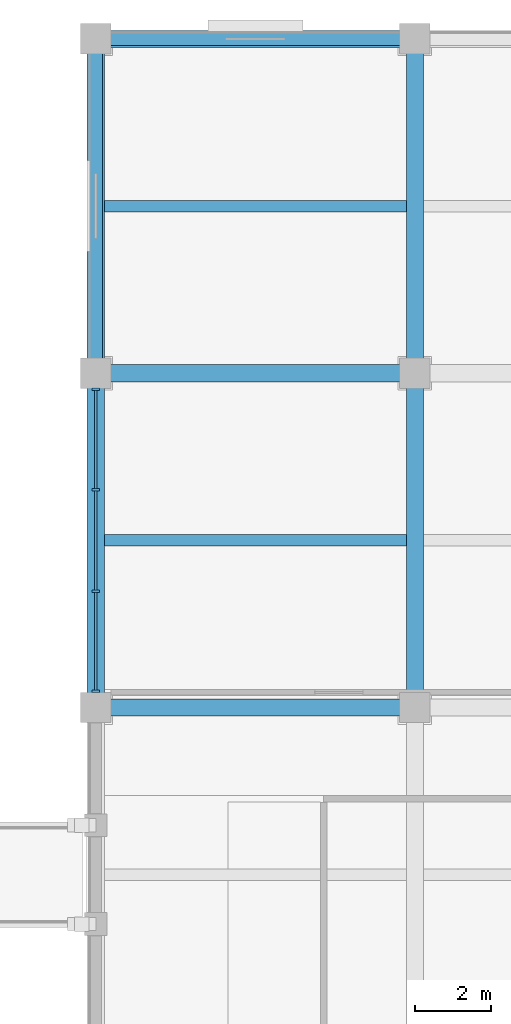
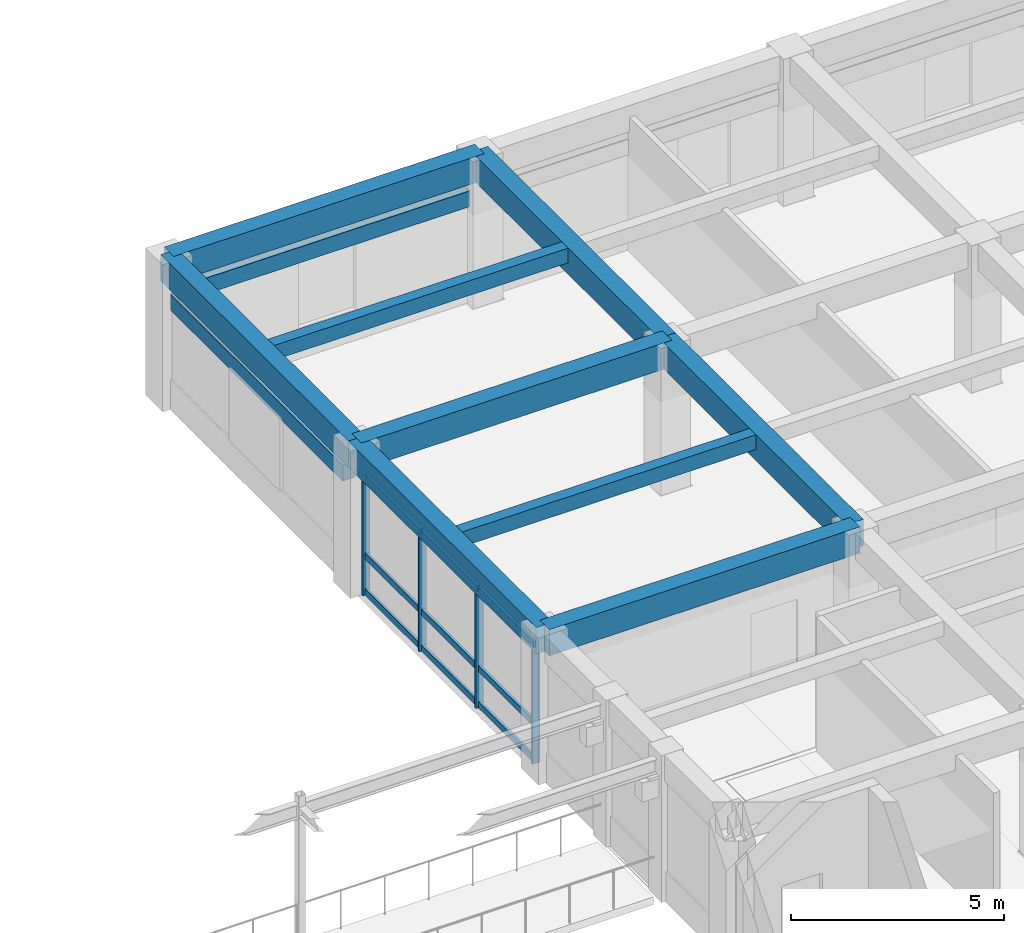
# One storey, part 22 of 57: 13 members, 11 beams, 1 element without a shape of its own.
"""IFC4 building model written with IfcOpenShell, lengths in metres."""

from ifc_helpers import new_model, si_unit, direction, frame, origin, origin_2d, place, context, subcontext, project, spatial, rectangle, extrude, material, material_profile, profile_set, type_object, element, aggregate, save


model = new_model("IFC4")

# Units and contexts
model_context = context("Model", 3, precision=1e-05, world=origin(), true_north=direction((0.0, 1.0)))
body_context = subcontext(model_context, "Body", "Model", "MODEL_VIEW")
ifc_project = project(units=[si_unit("LENGTHUNIT", "METRE"), si_unit("AREAUNIT", "SQUARE_METRE"), si_unit("VOLUMEUNIT", "CUBIC_METRE"), si_unit("PLANEANGLEUNIT", "RADIAN"), si_unit("MASSUNIT", "GRAM", prefix="KILO")], contexts=[model_context])

# Site, building, storey
site_placement = place(None, origin())
site = spatial("IfcSite", under=ifc_project, at=site_placement, CompositionType="ELEMENT")
building_placement = place(site_placement, origin())
building = spatial("IfcBuilding", under=site, at=building_placement, Name="Kemercrest Conservatory and Botanical Centre", CompositionType="ELEMENT")
storey_placement = place(building_placement, frame((0.0, 0.0, 4.800048828125)))
storey = spatial("IfcBuildingStorey", under=building, at=storey_placement, Name="L01", CompositionType="ELEMENT", Elevation=4.800048828125)

# Beams
ifc_material_1 = material(Name="Concrete C40/50", Category="concrete")
ifc_material_profile_1 = material_profile(ifc_material_1, rectangle(XDim=0.449951171875, YDim=0.75, at=origin_2d()), Name="RC 450x750")
ifc_profile_set_1 = profile_set([ifc_material_profile_1], Name="Concrete C40/50")
beam_type_1 = type_object("IfcBeamType", Name="BM-RC75", PredefinedType="BEAM", material=ifc_profile_set_1)
for number, where, z_axis, x_axis, name in (
    (1, (125.60009765625, 104.800048828125, 3.824951171875), (1.0, 0.0, 0.0), (0.0, 1.0, 0.0), "V4-L02 beam BM-RC75 M/15-16"),
    (2, (125.60009765625, 113.60009765625, 3.824951171875), (1.0, 0.0, 0.0), (0.0, 1.0, 0.0), "V4-L02 beam BM-RC75 N/15-16"),
):
    element("IfcBeam", number, at=place(storey_placement, frame(where, z_axis=z_axis, x_axis=x_axis)), inside=storey, type_object=beam_type_1, Name=name, PredefinedType="BEAM", context=body_context, shape_type="SweptSolid", body=[
        extrude(rectangle(XDim=0.449951171875, YDim=0.75, at=origin_2d()), origin(), (0.0, 0.0, 1.0), 8.39990234375),
    ])
beam_1_placement = place(storey_placement, frame((134.0, 104.800048828125, 3.824951171875), z_axis=(0.0, 1.0, 0.0), x_axis=(-1.0, 0.0, 0.0)))
element("IfcBeam", 3, at=beam_1_placement, inside=storey, type_object=beam_type_1, Name="V4-L02 beam BM-RC75 16/M-N", PredefinedType="BEAM", context=body_context, shape_type="SweptSolid", body=[
    extrude(rectangle(XDim=0.449951171875, YDim=0.75, at=origin_2d()), origin(), (0.0, 0.0, 1.0), 8.800048828125),
])
beam_2_placement = place(storey_placement, frame((134.0, 113.60009765625, 3.824951171875), z_axis=(0.0, 1.0, 0.0), x_axis=(-1.0, 0.0, 0.0)))
element("IfcBeam", 4, at=beam_2_placement, inside=storey, type_object=beam_type_1, Name="V4-L02 beam BM-RC75 16/N-P", PredefinedType="BEAM", context=body_context, shape_type="SweptSolid", body=[
    extrude(rectangle(XDim=0.449951171875, YDim=0.75, at=origin_2d()), origin(), (0.0, 0.0, 1.0), 8.7998046875),
])

# Curtain wall, members
ifc_material_2 = material(Name="Thermally broken aluminium and triple low-e glazing", Category="aluminium")
curtain_wall_type = type_object("IfcCurtainWallType", Name="CW-25", PredefinedType="USERDEFINED", material=ifc_material_2)
curtain_wall_placement = place(storey_placement, origin())
curtain_wall = element("IfcCurtainWall", 5, at=curtain_wall_placement, inside=storey, type_object=curtain_wall_type, Name="Unitised curtain wall CW-25 (CW:L01:V4-054)", ObjectType="UNITISED CURTAIN WALL", PredefinedType="USERDEFINED")
ifc_material_3 = material(Name="Thermally broken anodized aluminium 6063-T6", Category="aluminium")
ifc_material_profile_2 = material_profile(ifc_material_3, rectangle(XDim=0.199951171875, YDim=0.06494140625, at=origin_2d()), Name="AL MULLION 65x200")
ifc_profile_set_2 = profile_set([ifc_material_profile_2], Name="Thermally broken anodized aluminium 6063-T6")
member_type_1 = type_object("IfcMemberType", Name="CW-M200", PredefinedType="MULLION", material=ifc_profile_set_2)
member_1_placement = place(storey_placement, frame((125.60009765625, 113.172607421875, 0.0), z_axis=(0.0, 0.0, 1.0), x_axis=(1.0, 0.0, 0.0)))
member_1 = element("IfcMember", 6, at=member_1_placement, type_object=member_type_1, Name="CW-25 mullion 1", PredefinedType="MULLION", context=body_context, shape_type="SweptSolid", body=[
    extrude(rectangle(XDim=0.199951171875, YDim=0.06494140625, at=origin_2d()), origin(), (0.0, 0.0, 1.0), 3.454833984375),
])
member_2_placement = place(storey_placement, frame((125.60009765625, 110.534912109375, 0.0), z_axis=(0.0, 0.0, 1.0), x_axis=(1.0, 0.0, 0.0)))
member_2 = element("IfcMember", 7, at=member_2_placement, type_object=member_type_1, Name="CW-25 mullion 2", PredefinedType="MULLION", context=body_context, shape_type="SweptSolid", body=[
    extrude(rectangle(XDim=0.199951171875, YDim=0.06494140625, at=origin_2d()), origin(), (0.0, 0.0, 1.0), 3.454833984375),
])
member_3_placement = place(storey_placement, frame((125.60009765625, 107.864990234375, 0.0), z_axis=(0.0, 0.0, 1.0), x_axis=(1.0, 0.0, 0.0)))
member_3 = element("IfcMember", 8, at=member_3_placement, type_object=member_type_1, Name="CW-25 mullion 3", PredefinedType="MULLION", context=body_context, shape_type="SweptSolid", body=[
    extrude(rectangle(XDim=0.199951171875, YDim=0.06494140625, at=origin_2d()), origin(), (0.0, 0.0, 1.0), 3.454833984375),
])
member_4_placement = place(storey_placement, frame((125.60009765625, 105.2275390625, 0.0), z_axis=(0.0, 0.0, 1.0), x_axis=(1.0, 0.0, 0.0)))
member_4 = element("IfcMember", 9, at=member_4_placement, type_object=member_type_1, Name="CW-25 mullion 4", PredefinedType="MULLION", context=body_context, shape_type="SweptSolid", body=[
    extrude(rectangle(XDim=0.199951171875, YDim=0.06494140625, at=origin_2d()), origin(), (0.0, 0.0, 1.0), 3.454833984375),
])
ifc_material_profile_3 = material_profile(ifc_material_3, rectangle(XDim=0.074951171875, YDim=0.179931640625, at=origin_2d()), Name="AL TRANSOM 75x180")
ifc_profile_set_3 = profile_set([ifc_material_profile_3], Name="Thermally broken anodized aluminium 6063-T6")
member_type_2 = type_object("IfcMemberType", Name="CW-T180", PredefinedType="USERDEFINED", material=ifc_profile_set_3)
member_5_placement = place(storey_placement, frame((125.60009765625, 113.139892578125, 0.08984375), z_axis=(0.0, -1.0, 0.0), x_axis=(1.0, 0.0, 0.0)))
member_5 = element("IfcMember", 10, at=member_5_placement, type_object=member_type_2, Name="CW-25 transom 1.1", ObjectType="TRANSOM", PredefinedType="USERDEFINED", context=body_context, shape_type="SweptSolid", body=[
    extrude(rectangle(XDim=0.074951171875, YDim=0.179931640625, at=origin_2d()), origin(), (0.0, 0.0, 1.0), 2.572509765625),
])
member_6_placement = place(storey_placement, frame((125.60009765625, 113.139892578125, 1.119873046875), z_axis=(0.0, -1.0, 0.0), x_axis=(1.0, 0.0, 0.0)))
member_6 = element("IfcMember", 11, at=member_6_placement, type_object=member_type_2, Name="CW-25 transom 1.2", ObjectType="TRANSOM", PredefinedType="USERDEFINED", context=body_context, shape_type="SweptSolid", body=[
    extrude(rectangle(XDim=0.074951171875, YDim=0.179931640625, at=origin_2d()), origin(), (0.0, 0.0, 1.0), 2.572509765625),
])
member_7_placement = place(storey_placement, frame((125.60009765625, 113.139892578125, 3.364990234375), z_axis=(0.0, -1.0, 0.0), x_axis=(1.0, 0.0, 0.0)))
member_7 = element("IfcMember", 12, at=member_7_placement, type_object=member_type_2, Name="CW-25 transom 1.3", ObjectType="TRANSOM", PredefinedType="USERDEFINED", context=body_context, shape_type="SweptSolid", body=[
    extrude(rectangle(XDim=0.074951171875, YDim=0.179931640625, at=origin_2d()), origin(), (0.0, 0.0, 1.0), 2.572509765625),
])
member_8_placement = place(storey_placement, frame((125.60009765625, 110.50244140625, 0.08984375), z_axis=(0.0, -1.0, 0.0), x_axis=(1.0, 0.0, 0.0)))
member_8 = element("IfcMember", 13, at=member_8_placement, type_object=member_type_2, Name="CW-25 transom 2.1", ObjectType="TRANSOM", PredefinedType="USERDEFINED", context=body_context, shape_type="SweptSolid", body=[
    extrude(rectangle(XDim=0.074951171875, YDim=0.179931640625, at=origin_2d()), origin(), (0.0, 0.0, 1.0), 2.60498046875),
])
member_9_placement = place(storey_placement, frame((125.60009765625, 110.50244140625, 1.119873046875), z_axis=(0.0, -1.0, 0.0), x_axis=(1.0, 0.0, 0.0)))
member_9 = element("IfcMember", 14, at=member_9_placement, type_object=member_type_2, Name="CW-25 transom 2.2", ObjectType="TRANSOM", PredefinedType="USERDEFINED", context=body_context, shape_type="SweptSolid", body=[
    extrude(rectangle(XDim=0.074951171875, YDim=0.179931640625, at=origin_2d()), origin(), (0.0, 0.0, 1.0), 2.60498046875),
])
member_10_placement = place(storey_placement, frame((125.60009765625, 110.50244140625, 3.364990234375), z_axis=(0.0, -1.0, 0.0), x_axis=(1.0, 0.0, 0.0)))
member_10 = element("IfcMember", 15, at=member_10_placement, type_object=member_type_2, Name="CW-25 transom 2.3", ObjectType="TRANSOM", PredefinedType="USERDEFINED", context=body_context, shape_type="SweptSolid", body=[
    extrude(rectangle(XDim=0.074951171875, YDim=0.179931640625, at=origin_2d()), origin(), (0.0, 0.0, 1.0), 2.60498046875),
])
member_11_placement = place(storey_placement, frame((125.60009765625, 107.83251953125, 0.08984375), z_axis=(0.0, -1.0, 0.0), x_axis=(1.0, 0.0, 0.0)))
member_11 = element("IfcMember", 16, at=member_11_placement, type_object=member_type_2, Name="CW-25 transom 3.1", ObjectType="TRANSOM", PredefinedType="USERDEFINED", context=body_context, shape_type="SweptSolid", body=[
    extrude(rectangle(XDim=0.074951171875, YDim=0.179931640625, at=origin_2d()), origin(), (0.0, 0.0, 1.0), 2.572509765625),
])
member_12_placement = place(storey_placement, frame((125.60009765625, 107.83251953125, 1.119873046875), z_axis=(0.0, -1.0, 0.0), x_axis=(1.0, 0.0, 0.0)))
member_12 = element("IfcMember", 17, at=member_12_placement, type_object=member_type_2, Name="CW-25 transom 3.2", ObjectType="TRANSOM", PredefinedType="USERDEFINED", context=body_context, shape_type="SweptSolid", body=[
    extrude(rectangle(XDim=0.074951171875, YDim=0.179931640625, at=origin_2d()), origin(), (0.0, 0.0, 1.0), 2.572509765625),
])
member_13_placement = place(storey_placement, frame((125.60009765625, 107.83251953125, 3.364990234375), z_axis=(0.0, -1.0, 0.0), x_axis=(1.0, 0.0, 0.0)))
member_13 = element("IfcMember", 18, at=member_13_placement, type_object=member_type_2, Name="CW-25 transom 3.3", ObjectType="TRANSOM", PredefinedType="USERDEFINED", context=body_context, shape_type="SweptSolid", body=[
    extrude(rectangle(XDim=0.074951171875, YDim=0.179931640625, at=origin_2d()), origin(), (0.0, 0.0, 1.0), 2.572509765625),
])
aggregate(curtain_wall, [member_1, member_2, member_3, member_4, member_5, member_6, member_7, member_8, member_9, member_10, member_11, member_12, member_13])

# Beams
ifc_material_profile_4 = material_profile(ifc_material_1, rectangle(XDim=0.300048828125, YDim=0.419921875, at=origin_2d()), Name="RC 300x420")
ifc_profile_set_4 = profile_set([ifc_material_profile_4], Name="Concrete C40/50")
beam_type_2 = type_object("IfcBeamType", Name="JS-RC42", PredefinedType="JOIST", material=ifc_profile_set_4)
for number, where, z_axis, x_axis, name in (
    (19, (125.824951171875, 109.199951171875, 3.989990234375), (1.0, 0.0, 0.0), (0.0, 1.0, 0.0), "V4-L02 secondary joist JS-RC42"),
    (20, (125.824951171875, 118.0, 3.989990234375), (1.0, 0.0, 0.0), (0.0, 1.0, 0.0), "V4-L02 secondary joist JS-RC42"),
):
    element("IfcBeam", number, at=place(storey_placement, frame(where, z_axis=z_axis, x_axis=x_axis)), inside=storey, type_object=beam_type_2, Name=name, PredefinedType="JOIST", context=body_context, shape_type="SweptSolid", body=[
        extrude(rectangle(XDim=0.300048828125, YDim=0.419921875, at=origin_2d()), origin(), (0.0, 0.0, 1.0), 7.949951171875),
    ])
ifc_material_4 = material(Name="Precast concrete C40/50", Category="concrete")
ifc_material_profile_5 = material_profile(ifc_material_4, rectangle(XDim=0.35009765625, YDim=0.449951171875, at=origin_2d()), Name="RC 350x450")
ifc_profile_set_5 = profile_set([ifc_material_profile_5], Name="Precast concrete C40/50")
beam_type_3 = type_object("IfcBeamType", Name="LN-RC46", PredefinedType="LINTEL", material=ifc_profile_set_5)
beam_3_placement = place(storey_placement, frame((133.64990234375, 122.39990234375, 3.0048828125), z_axis=(-1.0, 0.0, 0.0), x_axis=(0.0, -1.0, 0.0)))
element("IfcBeam", 21, at=beam_3_placement, inside=storey, type_object=beam_type_3, Name="Precast arched window lintel (WIN:L01:EXT-186)", PredefinedType="LINTEL", context=body_context, shape_type="SweptSolid", body=[
    extrude(rectangle(XDim=0.35009765625, YDim=0.449951171875, at=origin_2d()), origin(), (0.0, 0.0, 1.0), 7.699951171875),
])
beam_4_placement = place(storey_placement, frame((125.60009765625, 122.050048828125, 3.044921875), z_axis=(0.0, -1.0, 0.0), x_axis=(1.0, 0.0, 0.0)))
element("IfcBeam", 22, at=beam_4_placement, inside=storey, type_object=beam_type_3, Name="Precast arched window lintel (WIN:L01:EXT-187)", PredefinedType="LINTEL", context=body_context, shape_type="SweptSolid", body=[
    extrude(rectangle(XDim=0.35009765625, YDim=0.449951171875, at=origin_2d()), origin(), (0.0, 0.0, 1.0), 8.10009765625),
])
ifc_material_profile_6 = material_profile(ifc_material_1, rectangle(XDim=0.449951171875, YDim=0.75, at=origin_2d()), Name="RC 450x750")
ifc_profile_set_6 = profile_set([ifc_material_profile_6], Name="Concrete C40/50")
beam_type_4 = type_object("IfcBeamType", Name="SP-RC75", PredefinedType="SPANDREL", material=ifc_profile_set_6)
beam_5_placement = place(storey_placement, frame((125.60009765625, 122.39990234375, 3.824951171875), z_axis=(1.0, 0.0, 0.0), x_axis=(0.0, 1.0, 0.0)))
element("IfcBeam", 23, at=beam_5_placement, inside=storey, type_object=beam_type_4, Name="V4-L02 beam SP-RC75 P/15-16", PredefinedType="SPANDREL", context=body_context, shape_type="SweptSolid", body=[
    extrude(rectangle(XDim=0.449951171875, YDim=0.75, at=origin_2d()), origin(), (0.0, 0.0, 1.0), 8.39990234375),
])
beam_6_placement = place(storey_placement, frame((125.60009765625, 104.800048828125, 3.824951171875), z_axis=(0.0, 1.0, 0.0), x_axis=(-1.0, 0.0, 0.0)))
element("IfcBeam", 24, at=beam_6_placement, inside=storey, type_object=beam_type_4, Name="V4-L02 beam SP-RC75 15/M-N", PredefinedType="SPANDREL", context=body_context, shape_type="SweptSolid", body=[
    extrude(rectangle(XDim=0.449951171875, YDim=0.75, at=origin_2d()), origin(), (0.0, 0.0, 1.0), 8.800048828125),
])
beam_7_placement = place(storey_placement, frame((125.60009765625, 113.60009765625, 3.824951171875), z_axis=(0.0, 1.0, 0.0), x_axis=(-1.0, 0.0, 0.0)))
element("IfcBeam", 25, at=beam_7_placement, inside=storey, type_object=beam_type_4, Name="V4-L02 beam SP-RC75 15/N-P", PredefinedType="SPANDREL", context=body_context, shape_type="SweptSolid", body=[
    extrude(rectangle(XDim=0.449951171875, YDim=0.75, at=origin_2d()), origin(), (0.0, 0.0, 1.0), 8.7998046875),
])

save(model, "model.ifc")
